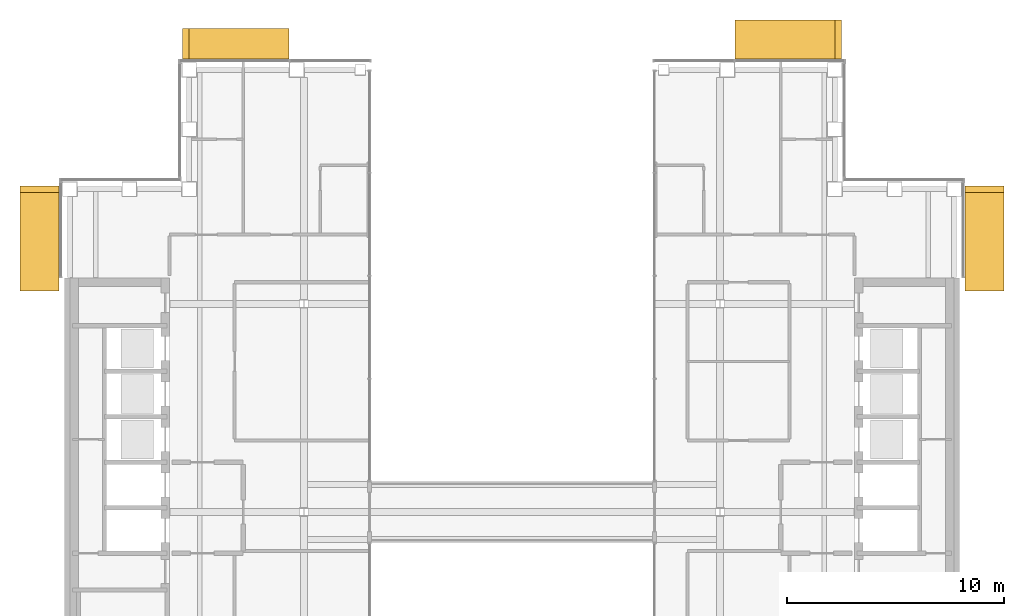
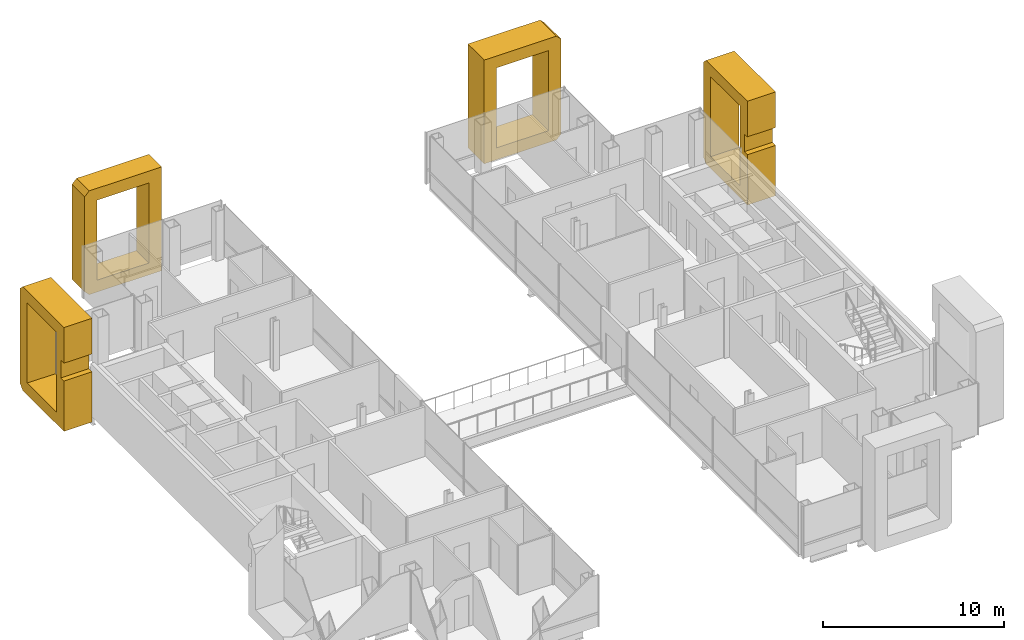
# One storey, part 16 of 17: 4 coverings.
"""IFC4 building model written with IfcOpenShell, lengths in metres."""

from ifc_helpers import new_model, si_unit, direction, frame, origin, place, context, subcontext, project, spatial, polyline, outline, extrude, material, type_object, element, save


model = new_model("IFC4")

# Units and contexts
model_context = context("Model", 3, precision=1e-05, world=origin(), true_north=direction((0.0, 1.0)))
body_context = subcontext(model_context, "Body", "Model", "MODEL_VIEW")
ifc_project = project(units=[si_unit("LENGTHUNIT", "METRE"), si_unit("AREAUNIT", "SQUARE_METRE"), si_unit("VOLUMEUNIT", "CUBIC_METRE"), si_unit("PLANEANGLEUNIT", "RADIAN"), si_unit("MASSUNIT", "GRAM", prefix="KILO")], contexts=[model_context])

# Site, building, storey
site_placement = place(None, origin())
site = spatial("IfcSite", under=ifc_project, at=site_placement, CompositionType="ELEMENT")
building_placement = place(site_placement, origin())
building = spatial("IfcBuilding", under=site, at=building_placement, Name="Cobrizo Arcos Hotel Tower", CompositionType="ELEMENT")
storey_placement = place(building_placement, frame((0.0, 0.0, 226.0)))
storey = spatial("IfcBuildingStorey", under=building, at=storey_placement, Name="L59", CompositionType="ELEMENT", Elevation=226.0)

# Coverings
ifc_material = material(Name="Aluminium 6063-T6 anodised bronze", Category="aluminium")
covering_type_1 = type_object("IfcCoveringType", Name="FIN-F 1400", PredefinedType="CLADDING", material=ifc_material)
covering_1_placement = place(storey_placement, frame((-10.291748046875, 20.89990234375, 0.0), z_axis=(0.0, 1.0, 0.0), x_axis=(-1.0, 0.0, 0.0)))
element("IfcCovering", 1, at=covering_1_placement, inside=storey, type_object=covering_type_1, Name="Fin frame 306", PredefinedType="CLADDING", context=body_context, shape_type="SweptSolid", body=[
    extrude(outline(polyline([(0.0, 7.0), (0.0, 0.0), (4.6083984375, 0.0), (4.908203125, 0.300048828125), (4.908203125, 6.699951171875), (4.6083984375, 7.0), (0.0, 7.0)]), holes=[polyline([(4.1083984375, 0.800048828125), (0.800048828125, 0.800048828125), (0.800048828125, 6.199951171875), (4.1083984375, 6.199951171875), (4.1083984375, 0.800048828125)])]), origin(), (0.0, 0.0, 1.0), 1.400146484375),
])
covering_type_2 = type_object("IfcCoveringType", Name="FIN-F 1800", PredefinedType="CLADDING", material=ifc_material)
covering_2_placement = place(storey_placement, frame((15.199951171875, 20.89990234375, 0.0), z_axis=(0.0, 1.0, 0.0), x_axis=(-1.0, 0.0, 0.0)))
element("IfcCovering", 2, at=covering_2_placement, inside=storey, type_object=covering_type_2, Name="Fin frame 305", PredefinedType="CLADDING", context=body_context, shape_type="SweptSolid", body=[
    extrude(outline(polyline([(0.0, 0.300048828125), (0.300048828125, 0.0), (4.908203125, 0.0), (4.908203125, 7.0), (0.300048828125, 7.0), (0.0, 6.699951171875), (0.0, 0.300048828125)]), holes=[polyline([(4.1083984375, 0.800048828125), (0.800048828125, 0.800048828125), (0.800048828125, 6.199951171875), (4.1083984375, 6.199951171875), (4.1083984375, 0.800048828125)])]), origin(), (0.0, 0.0, 1.0), 1.800048828125),
])
covering_3_placement = place(storey_placement, frame((20.89990234375, 10.191650390625, 0.0), z_axis=(1.0, 0.0, 0.0), x_axis=(0.0, 1.0, 0.0)))
element("IfcCovering", 3, at=covering_3_placement, inside=storey, type_object=covering_type_2, Name="Fin frame 324", PredefinedType="CLADDING", context=body_context, shape_type="SweptSolid", body=[
    extrude(outline(polyline([(0.0, 7.0), (0.0, 4.60205078125), (0.343505859375, 4.60205078125), (0.343505859375, 3.39794921875), (0.0, 3.39794921875), (0.0, 0.0), (4.558349609375, 0.0), (4.8583984375, 0.300048828125), (4.8583984375, 6.699951171875), (4.558349609375, 7.0), (0.0, 7.0)]), holes=[polyline([(4.058349609375, 0.800048828125), (0.800048828125, 0.800048828125), (0.800048828125, 6.199951171875), (4.058349609375, 6.199951171875), (4.058349609375, 0.800048828125)])]), origin(), (0.0, 0.0, 1.0), 1.800048828125),
])
covering_4_placement = place(storey_placement, frame((-20.89990234375, 15.050048828125, 0.0), z_axis=(-1.0, 0.0, 0.0), x_axis=(0.0, -1.0, 0.0)))
element("IfcCovering", 4, at=covering_4_placement, inside=storey, type_object=covering_type_2, Name="Fin frame 359", PredefinedType="CLADDING", context=body_context, shape_type="SweptSolid", body=[
    extrude(outline(polyline([(4.8583984375, 0.0), (4.8583984375, 3.39794921875), (4.5146484375, 3.39794921875), (4.5146484375, 4.60205078125), (4.8583984375, 4.60205078125), (4.8583984375, 7.0), (0.300048828125, 7.0), (0.0, 6.699951171875), (0.0, 0.300048828125), (0.300048828125, 0.0), (4.8583984375, 0.0)]), holes=[polyline([(4.058349609375, 0.800048828125), (0.800048828125, 0.800048828125), (0.800048828125, 6.199951171875), (4.058349609375, 6.199951171875), (4.058349609375, 0.800048828125)])]), origin(), (0.0, 0.0, 1.0), 1.800048828125),
])

save(model, "model.ifc")
